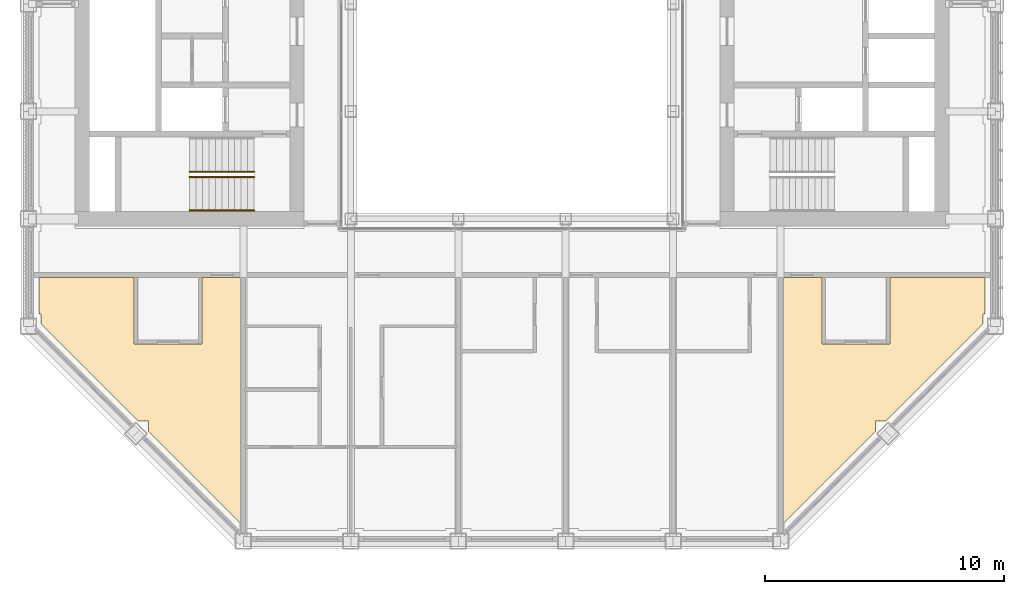
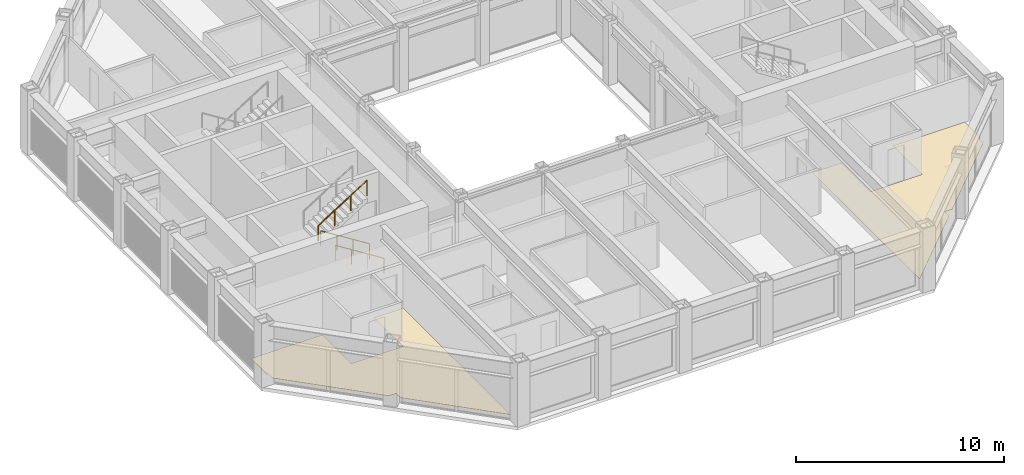
# One storey, part 14 of 18: 3 railings, 1 covering.
"""IFC4 building model written with IfcOpenShell, lengths in metres."""

from ifc_helpers import new_model, si_unit, direction, frame, origin, origin_2d, place, context, subcontext, project, spatial, line, indexed_curve, circle, outline, extrude, material, layer, layer_set, type_object, element, save


model = new_model("IFC4")

# Units and contexts
model_context = context("Model", 3, precision=1e-05, world=origin(), true_north=direction((0.0, 1.0)))
body_context = subcontext(model_context, "Body", "Model", "MODEL_VIEW")
ifc_project = project(units=[si_unit("LENGTHUNIT", "METRE"), si_unit("AREAUNIT", "SQUARE_METRE"), si_unit("VOLUMEUNIT", "CUBIC_METRE"), si_unit("PLANEANGLEUNIT", "RADIAN"), si_unit("MASSUNIT", "GRAM", prefix="KILO")], contexts=[model_context])

# Site, building, storey
site_placement = place(None, origin())
site = spatial("IfcSite", under=ifc_project, at=site_placement, CompositionType="ELEMENT")
building_placement = place(site_placement, origin())
building = spatial("IfcBuilding", under=site, at=building_placement, Name="Msasa Ring Tower", CompositionType="ELEMENT")
storey_placement = place(building_placement, frame((0.0, 0.0, 223.300048828125)))
storey = spatial("IfcBuildingStorey", under=building, at=storey_placement, Name="L58", CompositionType="ELEMENT", Elevation=223.300048828125)

# Covering
ifc_material_1 = material(Name="Engineered oak boards on an acoustic underlay", Category="wood")
ifc_layer = layer(ifc_material_1, 0.01806640625)
ifc_layer_set = layer_set([ifc_layer], Name="F3 ENGINEERED TIMBER ON ACOUSTIC UNDERLAY 18")
covering_type = type_object("IfcCoveringType", Name="F3 ENGINEERED TIMBER ON ACOUSTIC UNDERLAY 18", PredefinedType="FLOORING", material=ifc_layer_set)
covering_placement = place(storey_placement, origin())
element("IfcCovering", 1, at=covering_placement, inside=storey, type_object=covering_type, Name="Engineered Timber On Acoustic Underlay 18 L58", PredefinedType="FLOORING", context=body_context, shape_type="SweptSolid", body=[
    extrude(outline(indexed_curve([(-15.83056640625, -9.200439453125), (-15.83056640625, -11.98046875), (-12.969482421875, -11.98046875), (-12.969482421875, -9.200439453125), (-11.3505859375, -9.200439453125), (-11.3505859375, -19.512451171875), (-15.224609375, -15.638427734375), (-15.224609375, -15.224609375), (-15.638427734375, -15.224609375), (-19.724609375, -11.138427734375), (-19.724609375, -10.724609375), (-19.799560546875, -10.724609375), (-19.799560546875, -9.200439453125)], segments=[line(1, 2, 3, 4, 5, 6, 7, 8, 9, 10, 11, 12, 13, 1)], self_intersect=False)), origin(), (0.0, 0.0, 1.0), 0.01806640625),
    extrude(outline(indexed_curve([(15.83056640625, -11.98046875), (15.83056640625, -9.200439453125), (19.799560546875, -9.200439453125), (19.799560546875, -10.724609375), (19.724609375, -10.724609375), (19.724609375, -11.138427734375), (15.638427734375, -15.224609375), (15.224609375, -15.224609375), (15.224609375, -15.638427734375), (11.3505859375, -19.512451171875), (11.3505859375, -9.200439453125), (12.969482421875, -9.200439453125), (12.969482421875, -11.98046875)], segments=[line(1, 2, 3, 4, 5, 6, 7, 8, 9, 10, 11, 12, 13, 1)], self_intersect=False)), origin(), (0.0, 0.0, 1.0), 0.01806640625),
])

# Railings
ifc_material_2 = material(Name="Stainless steel", Category="steel")
railing_type = type_object("IfcRailingType", Name="HR1 HANDRAIL 900", PredefinedType="HANDRAIL", material=ifc_material_2)
for number, where, name in (
    (2, (-10.800048828125, -6.39990234375, 0.17041015625), "Handrail stair SWA L58 1"),
    (3, (-10.800048828125, -5.0, 0.17041015625), "Handrail stair SWA L58 2"),
):
    element("IfcRailing", number, at=place(storey_placement, frame(where)), inside=storey, type_object=railing_type, Name=name, PredefinedType="HANDRAIL", context=body_context, shape_type="SweptSolid", body=[
        extrude(circle(Radius=0.02392578125, at=origin_2d()), frame((0.0, 0.0, 0.8759765625), z_axis=(-0.845579735284, 0.0, 0.533849146555), x_axis=(0.0, -1.0, 0.0)), (0.0, 0.0, 1.0), 3.193115234375),
        extrude(circle(Radius=0.02099609375, at=origin_2d()), origin(), (0.0, 0.0, 1.0), 0.851806640625),
        extrude(circle(Radius=0.02099609375, at=origin_2d()), frame((-0.89990234375, 0.0, 0.568115234375)), (0.0, 0.0, 1.0), 0.851806640625),
        extrude(circle(Radius=0.02099609375, at=origin_2d()), frame((-1.800048828125, 0.0, 1.136474609375)), (0.0, 0.0, 1.0), 0.851806640625),
        extrude(circle(Radius=0.02099609375, at=origin_2d()), frame((-2.699951171875, 0.0, 1.70458984375)), (0.0, 0.0, 1.0), 0.851806640625),
    ])
railing_placement = place(storey_placement, frame((-13.5, -4.77490234375, 2.04541015625)))
element("IfcRailing", 4, at=railing_placement, inside=storey, type_object=railing_type, Name="Handrail stair SWA L58 3", PredefinedType="HANDRAIL", context=body_context, shape_type="SweptSolid", body=[
    extrude(circle(Radius=0.02392578125, at=origin_2d()), frame((0.0, 0.0, 0.8759765625), z_axis=(0.845579735284, 0.0, 0.533849146555), x_axis=(0.0, 1.0, 0.0)), (0.0, 0.0, 1.0), 3.193115234375),
    extrude(circle(Radius=0.02099609375, at=origin_2d()), origin(), (0.0, 0.0, 1.0), 0.851806640625),
    extrude(circle(Radius=0.02099609375, at=origin_2d()), frame((0.89990234375, 0.0, 0.568115234375)), (0.0, 0.0, 1.0), 0.851806640625),
    extrude(circle(Radius=0.02099609375, at=origin_2d()), frame((1.800048828125, 0.0, 1.136474609375)), (0.0, 0.0, 1.0), 0.851806640625),
    extrude(circle(Radius=0.02099609375, at=origin_2d()), frame((2.699951171875, 0.0, 1.70458984375)), (0.0, 0.0, 1.0), 0.851806640625),
])

save(model, "model.ifc")
